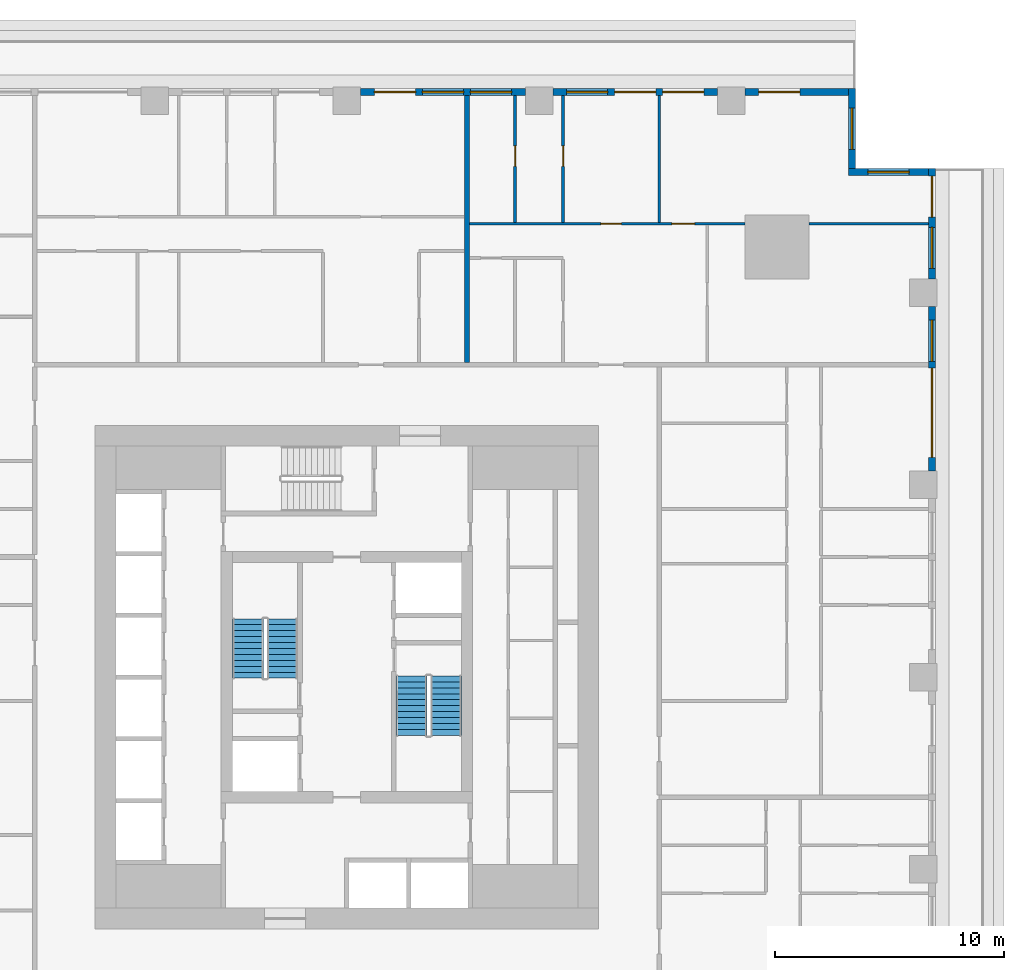
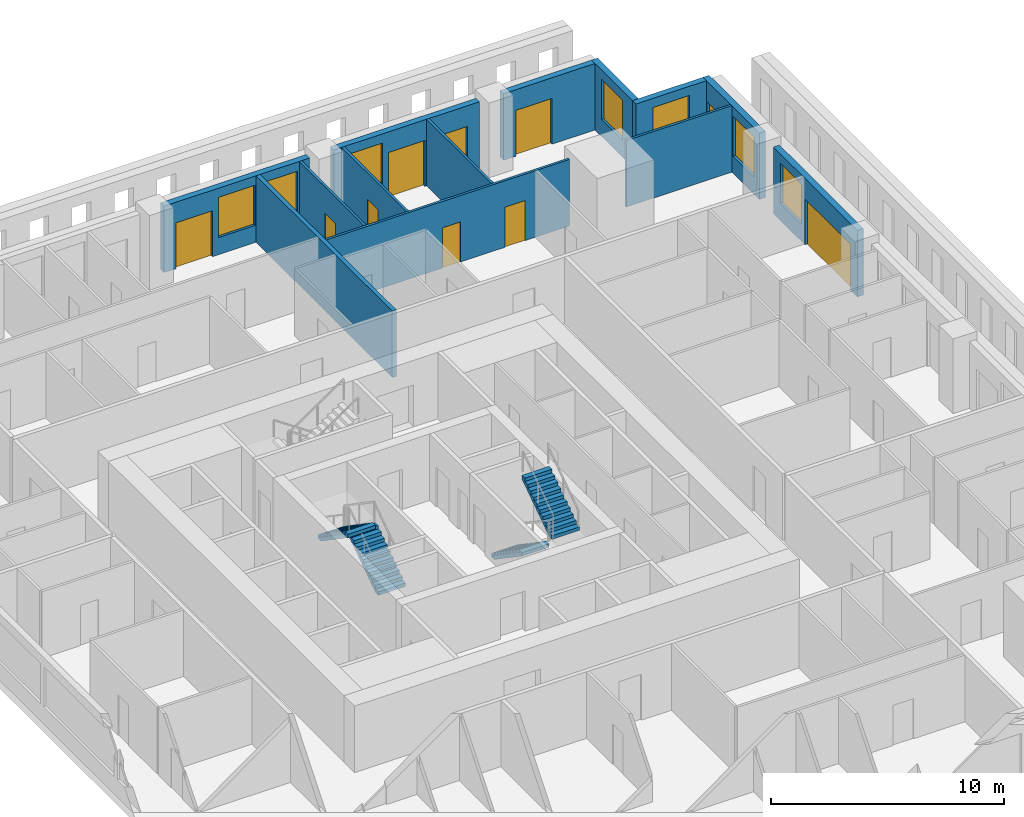
# One storey, part 9 of 15: 13 walls, 10 doors, 7 windows, 4 stair flights, 17 openings, 2 elements without a shape of their own.
"""IFC4 building model written with IfcOpenShell, lengths in metres."""

from ifc_helpers import new_model, si_unit, direction, frame, frame_2d, origin, place, context, subcontext, project, spatial, polyline, rectangle, outline, extrude, material, layer, layer_set, type_object, element, fill, aggregate, save


model = new_model("IFC4")

# Units and contexts
model_context = context("Model", 3, precision=1e-05, world=origin(), true_north=direction((0.0, 1.0)))
body_context = subcontext(model_context, "Body", "Model", "MODEL_VIEW")
ifc_project = project(units=[si_unit("LENGTHUNIT", "METRE"), si_unit("AREAUNIT", "SQUARE_METRE"), si_unit("VOLUMEUNIT", "CUBIC_METRE"), si_unit("PLANEANGLEUNIT", "RADIAN"), si_unit("MASSUNIT", "GRAM", prefix="KILO")], contexts=[model_context])

# Site, building, storey
site_placement = place(None, origin())
site = spatial("IfcSite", under=ifc_project, at=site_placement, CompositionType="ELEMENT")
building_placement = place(site_placement, origin())
building = spatial("IfcBuilding", under=site, at=building_placement, Name="Khepri Terraces", CompositionType="ELEMENT")
storey_placement = place(building_placement, frame((0.0, 0.0, 118.199951171875)))
storey = spatial("IfcBuildingStorey", under=building, at=storey_placement, Name="L28", CompositionType="ELEMENT", Elevation=118.199951171875)

# Wall
ifc_material_1 = material(Name="Fire-rated gypsum plasterboard partition, mineral wool")
ifc_layer_1 = layer(ifc_material_1, 0.199951171875, Name="Fire-rated gypsum plasterboard partition, mineral wool")
ifc_layer_set_1 = layer_set([ifc_layer_1], Name="Fire-rated gypsum plasterboard partition, mineral wool")
wall_type_1 = type_object("IfcWallType", Name="WL-CORR-200", PredefinedType="PARTITIONING", material=ifc_layer_set_1)
wall_1_placement = place(storey_placement, frame((5.25, 13.75, 0.0), z_axis=(0.0, 0.0, 1.0), x_axis=(0.0, 1.0, 0.0)))
element("IfcWall", 1, at=wall_1_placement, inside=storey, type_object=wall_type_1, Name="Partition P-077 L28", PredefinedType="PARTITIONING", context=body_context, shape_type="SweptSolid", body=[
    extrude(rectangle(XDim=11.669921875, YDim=0.199951171875, at=frame_2d((5.8349609375, 0.0))), origin(), (0.0, 0.0, 1.0), 3.47998046875),
])

# Wall, openings, door, window
ifc_material_2 = material(Name="Precast concrete C50/60 warm stone", Category="masonry")
ifc_layer_2 = layer(ifc_material_2, 0.300048828125, Name="Precast concrete C50/60 warm stone", Category="masonry")
ifc_layer_set_2 = layer_set([ifc_layer_2], Name="Precast concrete C50/60 warm stone")
wall_type_2 = type_object("IfcWallType", Name="WL-EXT-PRECAST-300", PredefinedType="STANDARD", material=ifc_layer_set_2)
wall_2_placement = place(storey_placement, frame((25.570068359375, 9.0, 0.0), z_axis=(0.0, 0.0, 1.0), x_axis=(0.0, 1.0, 0.0)))
wall_2 = element("IfcWall", 2, at=wall_2_placement, inside=storey, type_object=wall_type_2, Name="External wall L28 E", PredefinedType="STANDARD", context=body_context, shape_type="SweptSolid", body=[
    extrude(rectangle(XDim=7.199951171875, YDim=0.300048828125, at=frame_2d((3.60009765625, 0.0))), origin(), (0.0, 0.0, 1.0), 3.47998046875),
])
opening_1_placement = place(wall_2_placement, frame((0.60009765625, 0.0, 0.0)))
opening_1 = element("IfcOpeningElement", 3, at=opening_1_placement, cuts=wall_2, Name="Opening ED-L28-06", PredefinedType="OPENING", context=body_context, shape_type="SweptSolid", body=[
    extrude(rectangle(XDim=3.89990234375, YDim=2.39990234375, at=frame_2d((1.949951171875, 1.199951171875))), frame((0.0, 0.16015625, 0.0), z_axis=(0.0, -1.0, 0.0), x_axis=(1.0, 0.0, 0.0)), (0.0, 0.0, 1.0), 0.320068359375),
])
opening_2_placement = place(wall_2_placement, frame((4.800048828125, 0.0, 0.89990234375)))
opening_2 = element("IfcOpeningElement", 4, at=opening_2_placement, cuts=wall_2, Name="Opening W1", PredefinedType="OPENING", context=body_context, shape_type="SweptSolid", body=[
    extrude(rectangle(XDim=1.800048828125, YDim=2.10009765625, at=frame_2d((0.89990234375, 1.050048828125))), frame((0.0, 0.16015625, 0.0), z_axis=(0.0, -1.0, 0.0), x_axis=(1.0, 0.0, 0.0)), (0.0, 0.0, 1.0), 0.320068359375),
])
ifc_material_3 = material(Name="Anodised aluminium bronze glazed door", Category="aluminium")
door_type_1 = type_object("IfcDoorType", Name="DR-BAL-SLIDE-3900x2400", OperationType="NOTDEFINED", PredefinedType="DOOR", material=ifc_material_3)
door_1_placement = place(opening_1_placement, origin())
door_1 = element("IfcDoor", 5, at=door_1_placement, inside=storey, type_object=door_type_1, Name="Balcony door L28 E", OperationType="SLIDING_TO_LEFT", OverallHeight=2.39990234375, OverallWidth=3.89990234375, PredefinedType="DOOR", context=body_context, shape_type="SweptSolid", body=[
    extrude(rectangle(XDim=3.89990234375, YDim=2.39990234375, at=frame_2d((1.949951171875, 1.199951171875))), frame((0.0, 0.02490234375, 0.0), z_axis=(0.0, -1.0, 0.0), x_axis=(1.0, 0.0, 0.0)), (0.0, 0.0, 1.0), 0.050048828125),
])
fill(opening_1, door_1)
ifc_material_4 = material(Name="Clear glass", Category="glass")
window_type = type_object("IfcWindowType", Name="WIN-RES-1800x2100", PartitioningType="SINGLE_PANEL", PredefinedType="WINDOW", material=ifc_material_4)
window_1_placement = place(opening_2_placement, origin())
window_1 = element("IfcWindow", 6, at=window_1_placement, inside=storey, type_object=window_type, Name="Window L28 E", OverallHeight=2.10009765625, OverallWidth=1.800048828125, PartitioningType="SINGLE_PANEL", PredefinedType="WINDOW", context=body_context, shape_type="SweptSolid", body=[
    extrude(rectangle(XDim=1.800048828125, YDim=2.10009765625, at=frame_2d((0.89990234375, 1.050048828125))), frame((0.0, 0.030029296875, 0.0), z_axis=(0.0, -1.0, 0.0), x_axis=(1.0, 0.0, 0.0)), (0.0, 0.0, 1.0), 0.06005859375),
])
fill(opening_2, window_1)

wall_3_placement = place(storey_placement, frame((25.570068359375, 17.39990234375, 0.0), z_axis=(0.0, 0.0, 1.0), x_axis=(0.0, 1.0, 0.0)))
wall_3 = element("IfcWall", 7, at=wall_3_placement, inside=storey, type_object=wall_type_2, Name="External wall L28 E", PredefinedType="STANDARD", context=body_context, shape_type="SweptSolid", body=[
    extrude(rectangle(XDim=4.820068359375, YDim=0.300048828125, at=frame_2d((2.41015625, 0.0))), origin(), (0.0, 0.0, 1.0), 3.47998046875),
])
opening_3_placement = place(wall_3_placement, frame((2.699951171875, 0.0, 0.0)))
opening_3 = element("IfcOpeningElement", 8, at=opening_3_placement, cuts=wall_3, Name="Opening ED-L28-07", PredefinedType="OPENING", context=body_context, shape_type="SweptSolid", body=[
    extrude(rectangle(XDim=1.800048828125, YDim=2.39990234375, at=frame_2d((0.89990234375, 1.199951171875))), frame((0.0, 0.16015625, 0.0), z_axis=(0.0, -1.0, 0.0), x_axis=(1.0, 0.0, 0.0)), (0.0, 0.0, 1.0), 0.320068359375),
])
opening_4_placement = place(wall_3_placement, frame((0.4599609375, 0.0, 0.89990234375)))
opening_4 = element("IfcOpeningElement", 9, at=opening_4_placement, cuts=wall_3, Name="Opening W1", PredefinedType="OPENING", context=body_context, shape_type="SweptSolid", body=[
    extrude(rectangle(XDim=1.800048828125, YDim=2.10009765625, at=frame_2d((0.89990234375, 1.050048828125))), frame((0.0, 0.16015625, 0.0), z_axis=(0.0, -1.0, 0.0), x_axis=(1.0, 0.0, 0.0)), (0.0, 0.0, 1.0), 0.320068359375),
])
door_type_2 = type_object("IfcDoorType", Name="DR-BAL-SLIDE-1800x2400", OperationType="NOTDEFINED", PredefinedType="DOOR", material=ifc_material_3)
door_2_placement = place(opening_3_placement, origin())
door_2 = element("IfcDoor", 10, at=door_2_placement, inside=storey, type_object=door_type_2, Name="Balcony door L28 E", OperationType="SLIDING_TO_LEFT", OverallHeight=2.39990234375, OverallWidth=1.800048828125, PredefinedType="DOOR", context=body_context, shape_type="SweptSolid", body=[
    extrude(rectangle(XDim=1.800048828125, YDim=2.39990234375, at=frame_2d((0.89990234375, 1.199951171875))), frame((0.0, 0.02490234375, 0.0), z_axis=(0.0, -1.0, 0.0), x_axis=(1.0, 0.0, 0.0)), (0.0, 0.0, 1.0), 0.050048828125),
])
fill(opening_3, door_2)
window_2_placement = place(opening_4_placement, origin())
window_2 = element("IfcWindow", 11, at=window_2_placement, inside=storey, type_object=window_type, Name="Window L28 E", OverallHeight=2.10009765625, OverallWidth=1.800048828125, PartitioningType="SINGLE_PANEL", PredefinedType="WINDOW", context=body_context, shape_type="SweptSolid", body=[
    extrude(rectangle(XDim=1.800048828125, YDim=2.10009765625, at=frame_2d((0.89990234375, 1.050048828125))), frame((0.0, 0.030029296875, 0.0), z_axis=(0.0, -1.0, 0.0), x_axis=(1.0, 0.0, 0.0)), (0.0, 0.0, 1.0), 0.06005859375),
])
fill(opening_4, window_2)

# Wall, opening, window
wall_4_placement = place(storey_placement, frame((25.419921875, 22.070068359375, 0.0), z_axis=(0.0, 0.0, 1.0), x_axis=(-1.0, 0.0, 0.0)))
wall_4 = element("IfcWall", 12, at=wall_4_placement, inside=storey, type_object=wall_type_2, Name="External wall L28 N", PredefinedType="STANDARD", context=body_context, shape_type="SweptSolid", body=[
    extrude(rectangle(XDim=3.5, YDim=0.300048828125, at=frame_2d((1.75, 0.0))), origin(), (0.0, 0.0, 1.0), 3.47998046875),
])
opening_5_placement = place(wall_4_placement, frame((0.85009765625, 0.0, 0.89990234375)))
opening_5 = element("IfcOpeningElement", 13, at=opening_5_placement, cuts=wall_4, Name="Opening W1", PredefinedType="OPENING", context=body_context, shape_type="SweptSolid", body=[
    extrude(rectangle(XDim=1.800048828125, YDim=2.10009765625, at=frame_2d((0.89990234375, 1.050048828125))), frame((0.0, 0.16015625, 0.0), z_axis=(0.0, -1.0, 0.0), x_axis=(1.0, 0.0, 0.0)), (0.0, 0.0, 1.0), 0.320068359375),
])
window_3_placement = place(opening_5_placement, origin())
window_3 = element("IfcWindow", 14, at=window_3_placement, inside=storey, type_object=window_type, Name="Window L28 N", OverallHeight=2.10009765625, OverallWidth=1.800048828125, PartitioningType="SINGLE_PANEL", PredefinedType="WINDOW", context=body_context, shape_type="SweptSolid", body=[
    extrude(rectangle(XDim=1.800048828125, YDim=2.10009765625, at=frame_2d((0.89990234375, 1.050048828125))), frame((0.0, 0.030029296875, 0.0), z_axis=(0.0, -1.0, 0.0), x_axis=(1.0, 0.0, 0.0)), (0.0, 0.0, 1.0), 0.06005859375),
])
fill(opening_5, window_3)

wall_5_placement = place(storey_placement, frame((22.070068359375, 22.219970703125, 0.0), z_axis=(0.0, 0.0, 1.0), x_axis=(0.0, 1.0, 0.0)))
wall_5 = element("IfcWall", 15, at=wall_5_placement, inside=storey, type_object=wall_type_2, Name="External wall L28 E", PredefinedType="STANDARD", context=body_context, shape_type="SweptSolid", body=[
    extrude(rectangle(XDim=3.5, YDim=0.300048828125, at=frame_2d((1.75, 0.0))), origin(), (0.0, 0.0, 1.0), 3.47998046875),
])
opening_6_placement = place(wall_5_placement, frame((0.85009765625, 0.0, 0.89990234375)))
opening_6 = element("IfcOpeningElement", 16, at=opening_6_placement, cuts=wall_5, Name="Opening W1", PredefinedType="OPENING", context=body_context, shape_type="SweptSolid", body=[
    extrude(rectangle(XDim=1.800048828125, YDim=2.10009765625, at=frame_2d((0.89990234375, 1.050048828125))), frame((0.0, 0.16015625, 0.0), z_axis=(0.0, -1.0, 0.0), x_axis=(1.0, 0.0, 0.0)), (0.0, 0.0, 1.0), 0.320068359375),
])
window_4_placement = place(opening_6_placement, origin())
window_4 = element("IfcWindow", 17, at=window_4_placement, inside=storey, type_object=window_type, Name="Window L28 E", OverallHeight=2.10009765625, OverallWidth=1.800048828125, PartitioningType="SINGLE_PANEL", PredefinedType="WINDOW", context=body_context, shape_type="SweptSolid", body=[
    extrude(rectangle(XDim=1.800048828125, YDim=2.10009765625, at=frame_2d((0.89990234375, 1.050048828125))), frame((0.0, 0.030029296875, 0.0), z_axis=(0.0, -1.0, 0.0), x_axis=(1.0, 0.0, 0.0)), (0.0, 0.0, 1.0), 0.06005859375),
])
fill(opening_6, window_4)

# Wall, opening, door
wall_6_placement = place(storey_placement, frame((21.919921875, 25.570068359375, 0.0), z_axis=(0.0, 0.0, 1.0), x_axis=(-1.0, 0.0, 0.0)))
wall_6 = element("IfcWall", 18, at=wall_6_placement, inside=storey, type_object=wall_type_2, Name="External wall L28 N", PredefinedType="STANDARD", context=body_context, shape_type="SweptSolid", body=[
    extrude(rectangle(XDim=4.52001953125, YDim=0.300048828125, at=frame_2d((2.260009765625, 0.0))), origin(), (0.0, 0.0, 1.0), 3.47998046875),
])
opening_7_placement = place(wall_6_placement, frame((2.1201171875, 0.0, 0.0)))
opening_7 = element("IfcOpeningElement", 19, at=opening_7_placement, cuts=wall_6, Name="Opening ED-L28-08", PredefinedType="OPENING", context=body_context, shape_type="SweptSolid", body=[
    extrude(rectangle(XDim=1.800048828125, YDim=2.39990234375, at=frame_2d((0.89990234375, 1.199951171875))), frame((0.0, 0.16015625, 0.0), z_axis=(0.0, -1.0, 0.0), x_axis=(1.0, 0.0, 0.0)), (0.0, 0.0, 1.0), 0.320068359375),
])
door_3_placement = place(opening_7_placement, origin())
door_3 = element("IfcDoor", 20, at=door_3_placement, inside=storey, type_object=door_type_2, Name="Balcony door L28 N", OperationType="SLIDING_TO_RIGHT", OverallHeight=2.39990234375, OverallWidth=1.800048828125, PredefinedType="DOOR", context=body_context, shape_type="SweptSolid", body=[
    extrude(rectangle(XDim=1.800048828125, YDim=2.39990234375, at=frame_2d((0.89990234375, 1.199951171875))), frame((0.0, 0.02490234375, 0.0), z_axis=(0.0, -1.0, 0.0), x_axis=(1.0, 0.0, 0.0)), (0.0, 0.0, 1.0), 0.050048828125),
])
fill(opening_7, door_3)

# Wall, openings, doors, window
wall_7_placement = place(storey_placement, frame((16.199951171875, 25.570068359375, 0.0), z_axis=(0.0, 0.0, 1.0), x_axis=(-1.0, 0.0, 0.0)))
wall_7 = element("IfcWall", 21, at=wall_7_placement, inside=storey, type_object=wall_type_2, Name="External wall L28 N", PredefinedType="STANDARD", context=body_context, shape_type="SweptSolid", body=[
    extrude(rectangle(XDim=7.199951171875, YDim=0.300048828125, at=frame_2d((3.60009765625, 0.0))), origin(), (0.0, 0.0, 1.0), 3.47998046875),
])
opening_8_placement = place(wall_7_placement, frame((0.60009765625, 0.0, 0.0)))
opening_8 = element("IfcOpeningElement", 22, at=opening_8_placement, cuts=wall_7, Name="Opening ED-L28-09", PredefinedType="OPENING", context=body_context, shape_type="SweptSolid", body=[
    extrude(rectangle(XDim=1.800048828125, YDim=2.39990234375, at=frame_2d((0.89990234375, 1.199951171875))), frame((0.0, 0.16015625, 0.0), z_axis=(0.0, -1.0, 0.0), x_axis=(1.0, 0.0, 0.0)), (0.0, 0.0, 1.0), 0.320068359375),
])
opening_9_placement = place(wall_7_placement, frame((2.699951171875, 0.0, 0.0)))
opening_9 = element("IfcOpeningElement", 23, at=opening_9_placement, cuts=wall_7, Name="Opening ED-L28-10", PredefinedType="OPENING", context=body_context, shape_type="SweptSolid", body=[
    extrude(rectangle(XDim=1.800048828125, YDim=2.39990234375, at=frame_2d((0.89990234375, 1.199951171875))), frame((0.0, 0.16015625, 0.0), z_axis=(0.0, -1.0, 0.0), x_axis=(1.0, 0.0, 0.0)), (0.0, 0.0, 1.0), 0.320068359375),
])
opening_10_placement = place(wall_7_placement, frame((4.800048828125, 0.0, 0.89990234375)))
opening_10 = element("IfcOpeningElement", 24, at=opening_10_placement, cuts=wall_7, Name="Opening W1", PredefinedType="OPENING", context=body_context, shape_type="SweptSolid", body=[
    extrude(rectangle(XDim=1.800048828125, YDim=2.10009765625, at=frame_2d((0.89990234375, 1.050048828125))), frame((0.0, 0.16015625, 0.0), z_axis=(0.0, -1.0, 0.0), x_axis=(1.0, 0.0, 0.0)), (0.0, 0.0, 1.0), 0.320068359375),
])
door_4_placement = place(opening_8_placement, origin())
door_4 = element("IfcDoor", 25, at=door_4_placement, inside=storey, type_object=door_type_2, Name="Balcony door L28 N", OperationType="SLIDING_TO_LEFT", OverallHeight=2.39990234375, OverallWidth=1.800048828125, PredefinedType="DOOR", context=body_context, shape_type="SweptSolid", body=[
    extrude(rectangle(XDim=1.800048828125, YDim=2.39990234375, at=frame_2d((0.89990234375, 1.199951171875))), frame((0.0, 0.02490234375, 0.0), z_axis=(0.0, -1.0, 0.0), x_axis=(1.0, 0.0, 0.0)), (0.0, 0.0, 1.0), 0.050048828125),
])
fill(opening_8, door_4)
door_5_placement = place(opening_9_placement, origin())
door_5 = element("IfcDoor", 26, at=door_5_placement, inside=storey, type_object=door_type_2, Name="Balcony door L28 N", OperationType="SLIDING_TO_RIGHT", OverallHeight=2.39990234375, OverallWidth=1.800048828125, PredefinedType="DOOR", context=body_context, shape_type="SweptSolid", body=[
    extrude(rectangle(XDim=1.800048828125, YDim=2.39990234375, at=frame_2d((0.89990234375, 1.199951171875))), frame((0.0, 0.02490234375, 0.0), z_axis=(0.0, -1.0, 0.0), x_axis=(1.0, 0.0, 0.0)), (0.0, 0.0, 1.0), 0.050048828125),
])
fill(opening_9, door_5)
window_5_placement = place(opening_10_placement, origin())
window_5 = element("IfcWindow", 27, at=window_5_placement, inside=storey, type_object=window_type, Name="Window L28 N", OverallHeight=2.10009765625, OverallWidth=1.800048828125, PartitioningType="SINGLE_PANEL", PredefinedType="WINDOW", context=body_context, shape_type="SweptSolid", body=[
    extrude(rectangle(XDim=1.800048828125, YDim=2.10009765625, at=frame_2d((0.89990234375, 1.050048828125))), frame((0.0, 0.030029296875, 0.0), z_axis=(0.0, -1.0, 0.0), x_axis=(1.0, 0.0, 0.0)), (0.0, 0.0, 1.0), 0.06005859375),
])
fill(opening_10, window_5)

# Wall, openings, door, windows
wall_8_placement = place(storey_placement, frame((7.800048828125, 25.570068359375, 0.0), z_axis=(0.0, 0.0, 1.0), x_axis=(-1.0, 0.0, 0.0)))
wall_8 = element("IfcWall", 28, at=wall_8_placement, inside=storey, type_object=wall_type_2, Name="External wall L28 N", PredefinedType="STANDARD", context=body_context, shape_type="SweptSolid", body=[
    extrude(rectangle(XDim=7.199951171875, YDim=0.300048828125, at=frame_2d((3.60009765625, 0.0))), origin(), (0.0, 0.0, 1.0), 3.47998046875),
])
opening_11_placement = place(wall_8_placement, frame((0.60009765625, 0.0, 0.89990234375)))
opening_11 = element("IfcOpeningElement", 29, at=opening_11_placement, cuts=wall_8, Name="Opening W1", PredefinedType="OPENING", context=body_context, shape_type="SweptSolid", body=[
    extrude(rectangle(XDim=1.800048828125, YDim=2.10009765625, at=frame_2d((0.89990234375, 1.050048828125))), frame((0.0, 0.16015625, 0.0), z_axis=(0.0, -1.0, 0.0), x_axis=(1.0, 0.0, 0.0)), (0.0, 0.0, 1.0), 0.320068359375),
])
opening_12_placement = place(wall_8_placement, frame((2.699951171875, 0.0, 0.89990234375)))
opening_12 = element("IfcOpeningElement", 30, at=opening_12_placement, cuts=wall_8, Name="Opening W1", PredefinedType="OPENING", context=body_context, shape_type="SweptSolid", body=[
    extrude(rectangle(XDim=1.800048828125, YDim=2.10009765625, at=frame_2d((0.89990234375, 1.050048828125))), frame((0.0, 0.16015625, 0.0), z_axis=(0.0, -1.0, 0.0), x_axis=(1.0, 0.0, 0.0)), (0.0, 0.0, 1.0), 0.320068359375),
])
opening_13_placement = place(wall_8_placement, frame((4.800048828125, 0.0, 0.0)))
opening_13 = element("IfcOpeningElement", 31, at=opening_13_placement, cuts=wall_8, Name="Opening ED-L28-11", PredefinedType="OPENING", context=body_context, shape_type="SweptSolid", body=[
    extrude(rectangle(XDim=1.800048828125, YDim=2.39990234375, at=frame_2d((0.89990234375, 1.199951171875))), frame((0.0, 0.16015625, 0.0), z_axis=(0.0, -1.0, 0.0), x_axis=(1.0, 0.0, 0.0)), (0.0, 0.0, 1.0), 0.320068359375),
])
door_6_placement = place(opening_13_placement, origin())
door_6 = element("IfcDoor", 32, at=door_6_placement, inside=storey, type_object=door_type_2, Name="Balcony door L28 N", OperationType="SLIDING_TO_RIGHT", OverallHeight=2.39990234375, OverallWidth=1.800048828125, PredefinedType="DOOR", context=body_context, shape_type="SweptSolid", body=[
    extrude(rectangle(XDim=1.800048828125, YDim=2.39990234375, at=frame_2d((0.89990234375, 1.199951171875))), frame((0.0, 0.02490234375, 0.0), z_axis=(0.0, -1.0, 0.0), x_axis=(1.0, 0.0, 0.0)), (0.0, 0.0, 1.0), 0.050048828125),
])
fill(opening_13, door_6)
window_6_placement = place(opening_11_placement, origin())
window_6 = element("IfcWindow", 33, at=window_6_placement, inside=storey, type_object=window_type, Name="Window L28 N", OverallHeight=2.10009765625, OverallWidth=1.800048828125, PartitioningType="SINGLE_PANEL", PredefinedType="WINDOW", context=body_context, shape_type="SweptSolid", body=[
    extrude(rectangle(XDim=1.800048828125, YDim=2.10009765625, at=frame_2d((0.89990234375, 1.050048828125))), frame((0.0, 0.030029296875, 0.0), z_axis=(0.0, -1.0, 0.0), x_axis=(1.0, 0.0, 0.0)), (0.0, 0.0, 1.0), 0.06005859375),
])
fill(opening_11, window_6)
window_7_placement = place(opening_12_placement, origin())
window_7 = element("IfcWindow", 34, at=window_7_placement, inside=storey, type_object=window_type, Name="Window L28 N", OverallHeight=2.10009765625, OverallWidth=1.800048828125, PartitioningType="SINGLE_PANEL", PredefinedType="WINDOW", context=body_context, shape_type="SweptSolid", body=[
    extrude(rectangle(XDim=1.800048828125, YDim=2.10009765625, at=frame_2d((0.89990234375, 1.050048828125))), frame((0.0, 0.030029296875, 0.0), z_axis=(0.0, -1.0, 0.0), x_axis=(1.0, 0.0, 0.0)), (0.0, 0.0, 1.0), 0.06005859375),
])
fill(opening_12, window_7)

# Wall, openings, doors
ifc_material_5 = material(Name="Gypsum plasterboard partition")
ifc_layer_3 = layer(ifc_material_5, 0.1201171875, Name="Gypsum plasterboard partition")
ifc_layer_set_3 = layer_set([ifc_layer_3], Name="Gypsum plasterboard partition")
wall_type_3 = type_object("IfcWallType", Name="WL-PART-120", PredefinedType="PARTITIONING", material=ifc_layer_set_3)
wall_9_placement = place(storey_placement, frame((5.35009765625, 19.820068359375, 0.0), z_axis=(0.0, 0.0, 1.0), x_axis=(1.0, 0.0, 0.0)))
wall_9 = element("IfcWall", 35, at=wall_9_placement, inside=storey, type_object=wall_type_3, Name="Partition P-087 L28", PredefinedType="PARTITIONING", context=body_context, shape_type="SweptSolid", body=[
    extrude(rectangle(XDim=12.0498046875, YDim=0.1201171875, at=frame_2d((6.02490234375, 0.0))), origin(), (0.0, 0.0, 1.0), 3.47998046875),
])
opening_14_placement = place(wall_9_placement, frame((8.85009765625, 0.0, 0.0)))
opening_14 = element("IfcOpeningElement", 36, at=opening_14_placement, cuts=wall_9, Name="Opening D2", PredefinedType="OPENING", context=body_context, shape_type="SweptSolid", body=[
    extrude(rectangle(XDim=1.0, YDim=2.10009765625, at=frame_2d((0.5, 1.050048828125))), frame((0.0, 0.070068359375, 0.0), z_axis=(0.0, -1.0, 0.0), x_axis=(1.0, 0.0, 0.0)), (0.0, 0.0, 1.0), 0.14013671875),
])
opening_15_placement = place(wall_9_placement, frame((5.75, 0.0, 0.0)))
opening_15 = element("IfcOpeningElement", 37, at=opening_15_placement, cuts=wall_9, Name="Opening D3", PredefinedType="OPENING", context=body_context, shape_type="SweptSolid", body=[
    extrude(rectangle(XDim=0.89990234375, YDim=2.10009765625, at=frame_2d((0.449951171875, 1.050048828125))), frame((0.0, 0.070068359375, 0.0), z_axis=(0.0, -1.0, 0.0), x_axis=(1.0, 0.0, 0.0)), (0.0, 0.0, 1.0), 0.14013671875),
])
ifc_material_6 = material(Name="Timber door leaf, living room door", Category="wood")
door_type_3 = type_object("IfcDoorType", Name="DR-INT-1000", OperationType="NOTDEFINED", PredefinedType="DOOR", material=ifc_material_6)
door_7_placement = place(opening_14_placement, origin())
door_7 = element("IfcDoor", 38, at=door_7_placement, inside=storey, type_object=door_type_3, Name="Door Sun Lounge", OperationType="SINGLE_SWING_RIGHT", OverallHeight=2.10009765625, OverallWidth=1.0, PredefinedType="DOOR", context=body_context, shape_type="SweptSolid", body=[
    extrude(rectangle(XDim=1.0, YDim=2.10009765625, at=frame_2d((0.5, 1.050048828125))), frame((0.0, 0.02490234375, 0.0), z_axis=(0.0, -1.0, 0.0), x_axis=(1.0, 0.0, 0.0)), (0.0, 0.0, 1.0), 0.050048828125),
])
fill(opening_14, door_7)
ifc_material_7 = material(Name="Timber door leaf", Category="wood")
door_type_4 = type_object("IfcDoorType", Name="DR-INT-900", OperationType="NOTDEFINED", PredefinedType="DOOR", material=ifc_material_7)
door_8_placement = place(opening_15_placement, origin())
door_8 = element("IfcDoor", 39, at=door_8_placement, inside=storey, type_object=door_type_4, Name="Door Master Bedroom", OperationType="SINGLE_SWING_RIGHT", OverallHeight=2.10009765625, OverallWidth=0.89990234375, PredefinedType="DOOR", context=body_context, shape_type="SweptSolid", body=[
    extrude(rectangle(XDim=0.89990234375, YDim=2.10009765625, at=frame_2d((0.449951171875, 1.050048828125))), frame((0.0, 0.02490234375, 0.0), z_axis=(0.0, -1.0, 0.0), x_axis=(1.0, 0.0, 0.0)), (0.0, 0.0, 1.0), 0.050048828125),
])
fill(opening_15, door_8)

# Wall
wall_10_placement = place(storey_placement, frame((20.199951171875, 19.820068359375, 0.0), z_axis=(0.0, 0.0, 1.0), x_axis=(1.0, 0.0, 0.0)))
element("IfcWall", 40, at=wall_10_placement, inside=storey, type_object=wall_type_3, Name="Partition P-088 L28", PredefinedType="PARTITIONING", context=body_context, shape_type="SweptSolid", body=[
    extrude(rectangle(XDim=5.219970703125, YDim=0.1201171875, at=frame_2d((2.60986328125, 0.0))), origin(), (0.0, 0.0, 1.0), 3.47998046875),
])

# Wall, opening, door
wall_11_placement = place(storey_placement, frame((7.35009765625, 19.8798828125, 0.0), z_axis=(0.0, 0.0, 1.0), x_axis=(0.0, 1.0, 0.0)))
wall_11 = element("IfcWall", 41, at=wall_11_placement, inside=storey, type_object=wall_type_3, Name="Partition P-089 L28", PredefinedType="PARTITIONING", context=body_context, shape_type="SweptSolid", body=[
    extrude(rectangle(XDim=5.5400390625, YDim=0.1201171875, at=frame_2d((2.77001953125, 0.0))), origin(), (0.0, 0.0, 1.0), 3.47998046875),
])
opening_16_placement = place(wall_11_placement, frame((2.43994140625, 0.0, 0.0)))
opening_16 = element("IfcOpeningElement", 42, at=opening_16_placement, cuts=wall_11, Name="Opening D4", PredefinedType="OPENING", context=body_context, shape_type="SweptSolid", body=[
    extrude(rectangle(XDim=0.89990234375, YDim=2.10009765625, at=frame_2d((0.449951171875, 1.050048828125))), frame((0.0, 0.070068359375, 0.0), z_axis=(0.0, -1.0, 0.0), x_axis=(1.0, 0.0, 0.0)), (0.0, 0.0, 1.0), 0.14013671875),
])
ifc_material_8 = material(Name="Timber door leaf, moisture resistant", Category="wood")
door_type_5 = type_object("IfcDoorType", Name="DR-WET-900", OperationType="NOTDEFINED", PredefinedType="DOOR", material=ifc_material_8)
door_9_placement = place(opening_16_placement, origin())
door_9 = element("IfcDoor", 43, at=door_9_placement, inside=storey, type_object=door_type_5, Name="Door Bathroom", OperationType="SINGLE_SWING_RIGHT", OverallHeight=2.10009765625, OverallWidth=0.89990234375, PredefinedType="DOOR", context=body_context, shape_type="SweptSolid", body=[
    extrude(rectangle(XDim=0.89990234375, YDim=2.10009765625, at=frame_2d((0.449951171875, 1.050048828125))), frame((0.0, 0.02490234375, 0.0), z_axis=(0.0, -1.0, 0.0), x_axis=(1.0, 0.0, 0.0)), (0.0, 0.0, 1.0), 0.050048828125),
])
fill(opening_16, door_9)

wall_12_placement = place(storey_placement, frame((9.449951171875, 19.8798828125, 0.0), z_axis=(0.0, 0.0, 1.0), x_axis=(0.0, 1.0, 0.0)))
wall_12 = element("IfcWall", 44, at=wall_12_placement, inside=storey, type_object=wall_type_3, Name="Partition P-090 L28", PredefinedType="PARTITIONING", context=body_context, shape_type="SweptSolid", body=[
    extrude(rectangle(XDim=5.5400390625, YDim=0.1201171875, at=frame_2d((2.77001953125, 0.0))), origin(), (0.0, 0.0, 1.0), 3.47998046875),
])
opening_17_placement = place(wall_12_placement, frame((2.43994140625, 0.0, 0.0)))
opening_17 = element("IfcOpeningElement", 45, at=opening_17_placement, cuts=wall_12, Name="Opening D3", PredefinedType="OPENING", context=body_context, shape_type="SweptSolid", body=[
    extrude(rectangle(XDim=0.89990234375, YDim=2.10009765625, at=frame_2d((0.449951171875, 1.050048828125))), frame((0.0, 0.070068359375, 0.0), z_axis=(0.0, -1.0, 0.0), x_axis=(1.0, 0.0, 0.0)), (0.0, 0.0, 1.0), 0.14013671875),
])
door_10_placement = place(opening_17_placement, origin())
door_10 = element("IfcDoor", 46, at=door_10_placement, inside=storey, type_object=door_type_4, Name="Door Dressing Room", OperationType="SINGLE_SWING_RIGHT", OverallHeight=2.10009765625, OverallWidth=0.89990234375, PredefinedType="DOOR", context=body_context, shape_type="SweptSolid", body=[
    extrude(rectangle(XDim=0.89990234375, YDim=2.10009765625, at=frame_2d((0.449951171875, 1.050048828125))), frame((0.0, 0.02490234375, 0.0), z_axis=(0.0, -1.0, 0.0), x_axis=(1.0, 0.0, 0.0)), (0.0, 0.0, 1.0), 0.050048828125),
])
fill(opening_17, door_10)

# Wall
wall_13_placement = place(storey_placement, frame((13.64990234375, 19.8798828125, 0.0), z_axis=(0.0, 0.0, 1.0), x_axis=(0.0, 1.0, 0.0)))
element("IfcWall", 47, at=wall_13_placement, inside=storey, type_object=wall_type_3, Name="Partition P-091 L28", PredefinedType="PARTITIONING", context=body_context, shape_type="SweptSolid", body=[
    extrude(rectangle(XDim=5.5400390625, YDim=0.1201171875, at=frame_2d((2.77001953125, 0.0))), origin(), (0.0, 0.0, 1.0), 3.47998046875),
])

# Stair, stair flights
ifc_material_9 = material(Name="Concrete C40/50", Category="concrete")
stair_type = type_object("IfcStairType", Name="STAIR-RC-22R", PredefinedType="HALF_TURN_STAIR", material=ifc_material_9)
stair_1_placement = place(storey_placement, origin())
stair_1 = element("IfcStair", 48, at=stair_1_placement, inside=storey, type_object=stair_type, Name="L28 Exit Stair ST-1", PredefinedType="HALF_TURN_STAIR")
stair_flight_type = type_object("IfcStairFlightType", Name="SFL-RC-177.3", PredefinedType="STRAIGHT", material=ifc_material_9)
stair_flight_1_placement = place(storey_placement, frame((-2.824951171875, -0.050048828125, 0.0), z_axis=(0.0, 0.0, 1.0), x_axis=(0.0, 1.0, 0.0)))
stair_flight_1 = element("IfcStairFlight", 49, at=stair_flight_1_placement, type_object=stair_flight_type, Name="ST-1 flight 1", NumberOfRisers=11, NumberOfTreads=10, PredefinedType="STRAIGHT", RiserHeight=0.177272727, TreadLength=0.26, context=body_context, shape_type="SweptSolid", body=[
    extrude(outline(polyline([(0.0, 0.0), (0.0, 0.17724609375), (0.260009765625, 0.17724609375), (0.260009765625, 0.3544921875), (0.52001953125, 0.3544921875), (0.52001953125, 0.53173828125), (0.780029296875, 0.53173828125), (0.780029296875, 0.708984375), (1.0400390625, 0.708984375), (1.0400390625, 0.886474609375), (1.300048828125, 0.886474609375), (1.300048828125, 1.063720703125), (1.56005859375, 1.063720703125), (1.56005859375, 1.240966796875), (1.820068359375, 1.240966796875), (1.820068359375, 1.418212890625), (2.080078125, 1.418212890625), (2.080078125, 1.595458984375), (2.340087890625, 1.595458984375), (2.340087890625, 1.772705078125), (2.60009765625, 1.772705078125), (2.60009765625, 1.949951171875), (2.60009765625, 1.59130859375), (0.26611328125, 0.0), (0.0, 0.0)])), frame((0.0, 0.675048828125, 0.0), z_axis=(0.0, -1.0, 0.0), x_axis=(1.0, 0.0, 0.0)), (0.0, 0.0, 1.0), 1.35009765625),
])
stair_flight_2_placement = place(storey_placement, frame((-4.324951171875, 2.550048828125, 1.949951171875), z_axis=(0.0, 0.0, 1.0), x_axis=(0.0, -1.0, 0.0)))
stair_flight_2 = element("IfcStairFlight", 50, at=stair_flight_2_placement, type_object=stair_flight_type, Name="ST-1 flight 2", NumberOfRisers=11, NumberOfTreads=10, PredefinedType="STRAIGHT", RiserHeight=0.177272727, TreadLength=0.26, context=body_context, shape_type="SweptSolid", body=[
    extrude(outline(polyline([(0.0, 0.0), (0.0, 0.17724609375), (0.260009765625, 0.17724609375), (0.260009765625, 0.3544921875), (0.52001953125, 0.3544921875), (0.52001953125, 0.53173828125), (0.780029296875, 0.53173828125), (0.780029296875, 0.708984375), (1.0400390625, 0.708984375), (1.0400390625, 0.886474609375), (1.300048828125, 0.886474609375), (1.300048828125, 1.063720703125), (1.56005859375, 1.063720703125), (1.56005859375, 1.240966796875), (1.820068359375, 1.240966796875), (1.820068359375, 1.418212890625), (2.080078125, 1.418212890625), (2.080078125, 1.595458984375), (2.340087890625, 1.595458984375), (2.340087890625, 1.772705078125), (2.60009765625, 1.772705078125), (2.60009765625, 1.949951171875), (2.60009765625, 1.59130859375), (0.26611328125, 0.0), (0.0, 0.0)])), frame((0.0, 0.675048828125, 0.0), z_axis=(0.0, -1.0, 0.0), x_axis=(1.0, 0.0, 0.0)), (0.0, 0.0, 1.0), 1.35009765625),
])
aggregate(stair_1, [stair_flight_1, stair_flight_2])

stair_2_placement = place(storey_placement, origin())
stair_2 = element("IfcStair", 51, at=stair_2_placement, inside=storey, type_object=stair_type, Name="L28 Exit Stair ST-2", PredefinedType="HALF_TURN_STAIR")
stair_flight_3_placement = place(storey_placement, frame((2.824951171875, 0.050048828125, 0.0), z_axis=(0.0, 0.0, 1.0), x_axis=(0.0, -1.0, 0.0)))
stair_flight_3 = element("IfcStairFlight", 52, at=stair_flight_3_placement, type_object=stair_flight_type, Name="ST-2 flight 1", NumberOfRisers=11, NumberOfTreads=10, PredefinedType="STRAIGHT", RiserHeight=0.177272727, TreadLength=0.26, context=body_context, shape_type="SweptSolid", body=[
    extrude(outline(polyline([(0.0, 0.0), (0.0, 0.17724609375), (0.260009765625, 0.17724609375), (0.260009765625, 0.3544921875), (0.52001953125, 0.3544921875), (0.52001953125, 0.53173828125), (0.780029296875, 0.53173828125), (0.780029296875, 0.708984375), (1.0400390625, 0.708984375), (1.0400390625, 0.886474609375), (1.300048828125, 0.886474609375), (1.300048828125, 1.063720703125), (1.56005859375, 1.063720703125), (1.56005859375, 1.240966796875), (1.820068359375, 1.240966796875), (1.820068359375, 1.418212890625), (2.080078125, 1.418212890625), (2.080078125, 1.595458984375), (2.340087890625, 1.595458984375), (2.340087890625, 1.772705078125), (2.60009765625, 1.772705078125), (2.60009765625, 1.949951171875), (2.60009765625, 1.59130859375), (0.26611328125, 0.0), (0.0, 0.0)])), frame((0.0, 0.675048828125, 0.0), z_axis=(0.0, -1.0, 0.0), x_axis=(1.0, 0.0, 0.0)), (0.0, 0.0, 1.0), 1.35009765625),
])
stair_flight_4_placement = place(storey_placement, frame((4.324951171875, -2.550048828125, 1.949951171875), z_axis=(0.0, 0.0, 1.0), x_axis=(0.0, 1.0, 0.0)))
stair_flight_4 = element("IfcStairFlight", 53, at=stair_flight_4_placement, type_object=stair_flight_type, Name="ST-2 flight 2", NumberOfRisers=11, NumberOfTreads=10, PredefinedType="STRAIGHT", RiserHeight=0.177272727, TreadLength=0.26, context=body_context, shape_type="SweptSolid", body=[
    extrude(outline(polyline([(0.0, 0.0), (0.0, 0.17724609375), (0.260009765625, 0.17724609375), (0.260009765625, 0.3544921875), (0.52001953125, 0.3544921875), (0.52001953125, 0.53173828125), (0.780029296875, 0.53173828125), (0.780029296875, 0.708984375), (1.0400390625, 0.708984375), (1.0400390625, 0.886474609375), (1.300048828125, 0.886474609375), (1.300048828125, 1.063720703125), (1.56005859375, 1.063720703125), (1.56005859375, 1.240966796875), (1.820068359375, 1.240966796875), (1.820068359375, 1.418212890625), (2.080078125, 1.418212890625), (2.080078125, 1.595458984375), (2.340087890625, 1.595458984375), (2.340087890625, 1.772705078125), (2.60009765625, 1.772705078125), (2.60009765625, 1.949951171875), (2.60009765625, 1.59130859375), (0.26611328125, 0.0), (0.0, 0.0)])), frame((0.0, 0.675048828125, 0.0), z_axis=(0.0, -1.0, 0.0), x_axis=(1.0, 0.0, 0.0)), (0.0, 0.0, 1.0), 1.35009765625),
])
aggregate(stair_2, [stair_flight_3, stair_flight_4])

save(model, "model.ifc")
